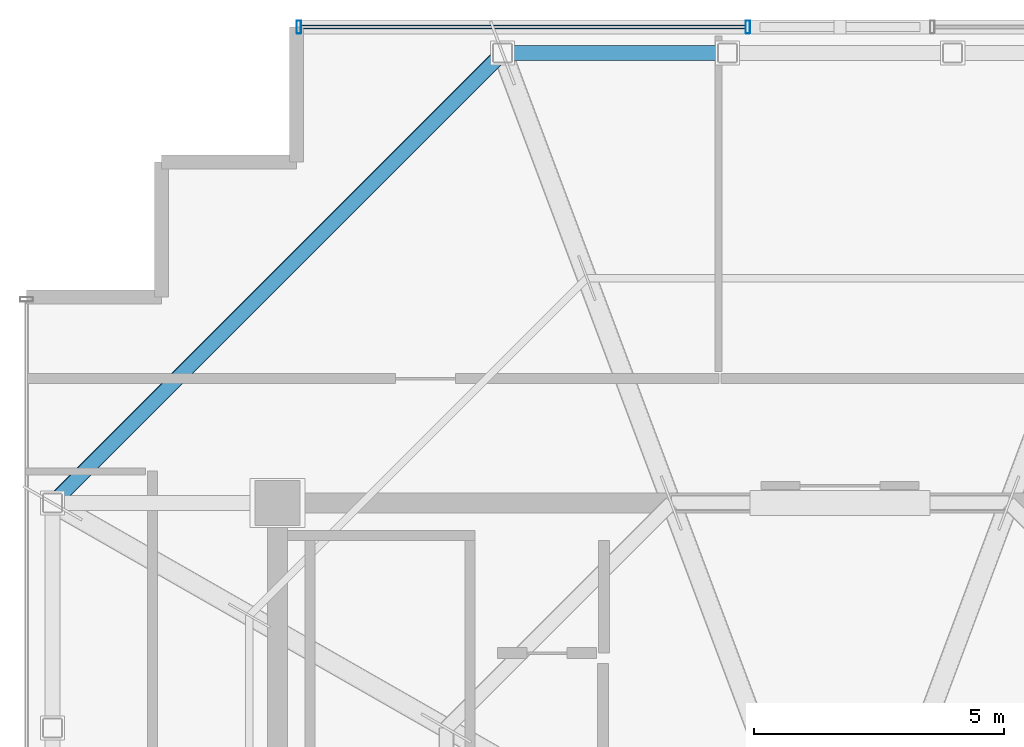
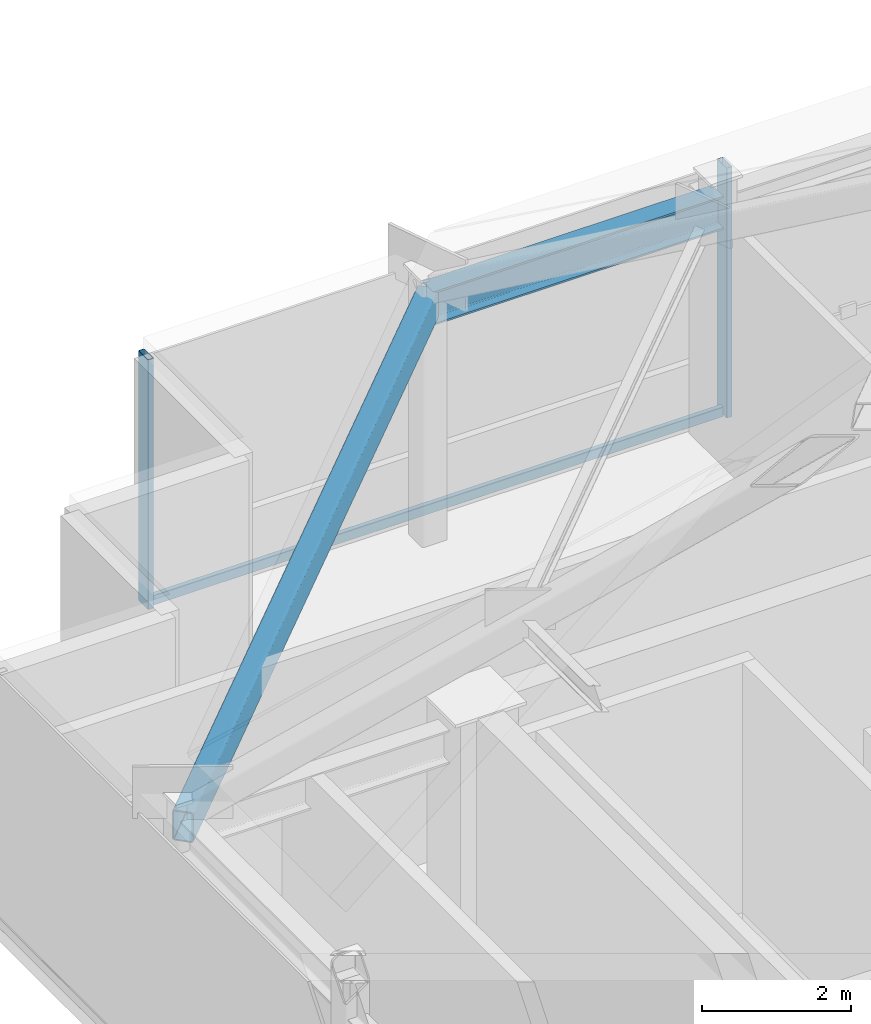
# One storey, part 11 of 17: 3 members, 2 beams, 1 element without a shape of its own.
"""IFC4 building model written with IfcOpenShell, lengths in metres."""

from ifc_helpers import new_model, si_unit, direction, frame, origin, origin_2d, place, context, subcontext, project, spatial, hollow_rectangle, i_section, extrude, source, transform, mapped, material, layer, layer_set, material_profile, profile_set, type_object, element, aggregate, save


model = new_model("IFC4")

# Units and contexts
model_context = context("Model", 3, precision=1e-05, world=origin(), true_north=direction((0.0, 1.0)))
body_context = subcontext(model_context, "Body", "Model", "MODEL_VIEW")
ifc_project = project(units=[si_unit("LENGTHUNIT", "METRE"), si_unit("AREAUNIT", "SQUARE_METRE"), si_unit("VOLUMEUNIT", "CUBIC_METRE"), si_unit("PLANEANGLEUNIT", "RADIAN"), si_unit("MASSUNIT", "GRAM", prefix="KILO")], contexts=[model_context])

# Site, building, storey
site_placement = place(None, origin())
site = spatial("IfcSite", under=ifc_project, at=site_placement, CompositionType="ELEMENT")
building_placement = place(site_placement, origin())
building = spatial("IfcBuilding", under=site, at=building_placement, Name="Nefas-Gora Pilgrimage Tower", CompositionType="ELEMENT")
storey_placement = place(building_placement, frame((0.0, 0.0, 367.39990234375)))
storey = spatial("IfcBuildingStorey", under=building, at=storey_placement, Name="L92", CompositionType="ELEMENT", Elevation=367.39990234375)

# Beams
ifc_material_1 = material(Name="Steel S355", Category="steel")
ifc_material_profile_1 = material_profile(ifc_material_1, i_section(OverallWidth=0.300048828125, OverallDepth=0.550048828125, WebThickness=0.014892578125, FlangeThickness=0.029052734375, FilletRadius=0.027099609375, at=origin_2d()), Name="HEB 550")
ifc_profile_set_1 = profile_set([ifc_material_profile_1], Name="Steel S355")
beam_type_1 = type_object("IfcBeamType", Name="BM-SPN-HEB400", PredefinedType="SPANDREL", material=ifc_profile_set_1)
shared_shape_1 = source(origin(), body_context, "Body", "SweptSolid", [
    extrude(i_section(OverallWidth=0.300048828125, OverallDepth=0.550048828125, WebThickness=0.014892578125, FlangeThickness=0.029052734375, FilletRadius=0.027099609375, at=origin_2d()), origin(), (0.0, 0.0, 1.0), 4.5),
])
beam_1_placement = place(storey_placement, frame((-6.75, 18.0, 3.8251953125), z_axis=(1.0, 0.0, 0.0), x_axis=(0.0, 1.0, 0.0)))
element("IfcBeam", 1, at=beam_1_placement, inside=storey, type_object=beam_type_1, Name="L92 SP-04 beam", PredefinedType="SPANDREL", context=body_context, shape_type="MappedRepresentation", body=[
    mapped(shared_shape_1, transform((0.0, 0.0, 0.0), x_axis=(1.0, 0.0, 0.0), y_axis=(0.0, 1.0, 0.0), z_axis=(0.0, 0.0, 1.0), scale=1.0)),
])
ifc_material_2 = material(Name="Steel S460", Category="steel")
ifc_material_profile_2 = material_profile(ifc_material_2, hollow_rectangle(XDim=0.300048828125, YDim=0.5, WallThickness=0.02001953125, InnerFilletRadius=0.02001953125, OuterFilletRadius=0.0400390625, at=origin_2d()), Name="RHS 500x300x20")
ifc_profile_set_2 = profile_set([ifc_material_profile_2], Name="Steel S460")
beam_type_2 = type_object("IfcBeamType", Name="BM-RING-RHS500", PredefinedType="SPANDREL", material=ifc_profile_set_2)
shared_shape_2 = source(origin(), body_context, "Body", "SweptSolid", [
    extrude(hollow_rectangle(XDim=0.300048828125, YDim=0.5, WallThickness=0.02001953125, InnerFilletRadius=0.02001953125, OuterFilletRadius=0.0400390625, at=origin_2d()), origin(), (0.0, 0.0, 1.0), 12.72802734375),
])
beam_2_placement = place(storey_placement, frame((-6.75, 18.0, 3.85009765625), z_axis=(-0.707106781187, -0.707106781187, 0.0), x_axis=(0.707106781187, -0.707106781187, 0.0)))
element("IfcBeam", 2, at=beam_2_placement, inside=storey, type_object=beam_type_2, Name="CROWN FRAME Base Ring Beam 4", PredefinedType="SPANDREL", context=body_context, shape_type="MappedRepresentation", body=[
    mapped(shared_shape_2, transform((0.0, 0.0, 0.0), x_axis=(1.0, 0.0, 0.0), y_axis=(0.0, 1.0, 0.0), z_axis=(0.0, 0.0, 1.0), scale=1.0)),
])

# Curtain wall, members
ifc_material_3 = material(Name="Dark ceramic-fritted solar-control aluminium-glass curtain wall", Category="aluminium")
ifc_layer = layer(ifc_material_3, 0.219970703125)
ifc_layer_set = layer_set([ifc_layer], Name="Dark ceramic-fritted solar-control aluminium-glass curtain wall")
curtain_wall_type = type_object("IfcCurtainWallType", Name="CW-SYS-6", PredefinedType="NOTDEFINED", material=ifc_layer_set)
curtain_wall_placement = place(storey_placement, origin())
curtain_wall = element("IfcCurtainWall", 3, at=curtain_wall_placement, inside=storey, type_object=curtain_wall_type, Name="L92 Unitised Curtain Wall CW6", PredefinedType="NOTDEFINED")
ifc_material_4 = material(Name="Anodised architectural aluminium", Category="aluminium")
ifc_material_profile_3 = material_profile(ifc_material_4, hollow_rectangle(XDim=0.080078125, YDim=0.159912109375, WallThickness=0.00439453125, InnerFilletRadius=0.00439453125, OuterFilletRadius=0.009033203125, at=origin_2d()), Name="ALU TRANSOM 80x160")
ifc_profile_set_3 = profile_set([ifc_material_profile_3], Name="Anodised architectural aluminium")
member_type_1 = type_object("IfcMemberType", Name="CWM-TRN-6", PredefinedType="USERDEFINED", material=ifc_profile_set_3)
shared_shape_3 = source(origin(), body_context, "Body", "SweptSolid", [
    extrude(hollow_rectangle(XDim=0.080078125, YDim=0.159912109375, WallThickness=0.00439453125, InnerFilletRadius=0.00439453125, OuterFilletRadius=0.009033203125, at=origin_2d()), origin(), (0.0, 0.0, 1.0), 8.89013671875),
])
member_1_placement = place(storey_placement, frame((-1.889892578125, 18.52001953125, 0.050048828125), z_axis=(-1.0, 0.0, 0.0), x_axis=(0.0, -1.0, 0.0)))
member_1 = element("IfcMember", 4, at=member_1_placement, type_object=member_type_1, Name="CW6 Spandrel Transom", ObjectType="TRANSOM", PredefinedType="USERDEFINED", context=body_context, shape_type="MappedRepresentation", body=[
    mapped(shared_shape_3, transform((0.0, 0.0, 0.0), x_axis=(1.0, 0.0, 0.0), y_axis=(0.0, 1.0, 0.0), z_axis=(0.0, 0.0, 1.0), scale=1.0)),
])
ifc_material_profile_4 = material_profile(ifc_material_4, hollow_rectangle(XDim=0.090087890625, YDim=0.260009765625, WallThickness=0.006103515625, InnerFilletRadius=0.006103515625, OuterFilletRadius=0.011962890625, at=origin_2d()), Name="ALU MULLION 90x260")
ifc_profile_set_4 = profile_set([ifc_material_profile_4], Name="Anodised architectural aluminium")
member_type_2 = type_object("IfcMemberType", Name="CWM-MUL-6", PredefinedType="MULLION", material=ifc_profile_set_4)
shared_shape_4 = source(origin(), body_context, "Body", "SweptSolid", [
    extrude(hollow_rectangle(XDim=0.090087890625, YDim=0.260009765625, WallThickness=0.006103515625, InnerFilletRadius=0.006103515625, OuterFilletRadius=0.011962890625, at=origin_2d()), origin(), (0.0, 0.0, 1.0), 4.10009765625),
])
member_2_placement = place(storey_placement, frame((-1.844970703125, 18.52001953125, 0.0), z_axis=(0.0, 0.0, 1.0), x_axis=(-1.0, 0.0, 0.0)))
member_2 = element("IfcMember", 5, at=member_2_placement, type_object=member_type_2, Name="CW6 Mullion 1", PredefinedType="MULLION", context=body_context, shape_type="MappedRepresentation", body=[
    mapped(shared_shape_4, transform((0.0, 0.0, 0.0), x_axis=(1.0, 0.0, 0.0), y_axis=(0.0, 1.0, 0.0), z_axis=(0.0, 0.0, 1.0), scale=1.0)),
])
member_3_placement = place(storey_placement, frame((-10.824951171875, 18.52001953125, 0.0), z_axis=(0.0, 0.0, 1.0), x_axis=(-1.0, 0.0, 0.0)))
member_3 = element("IfcMember", 6, at=member_3_placement, type_object=member_type_2, Name="CW6 Mullion 2", PredefinedType="MULLION", context=body_context, shape_type="MappedRepresentation", body=[
    mapped(shared_shape_4, transform((0.0, 0.0, 0.0), x_axis=(1.0, 0.0, 0.0), y_axis=(0.0, 1.0, 0.0), z_axis=(0.0, 0.0, 1.0), scale=1.0)),
])
aggregate(curtain_wall, [member_2, member_3, member_1])

save(model, "model.ifc")
